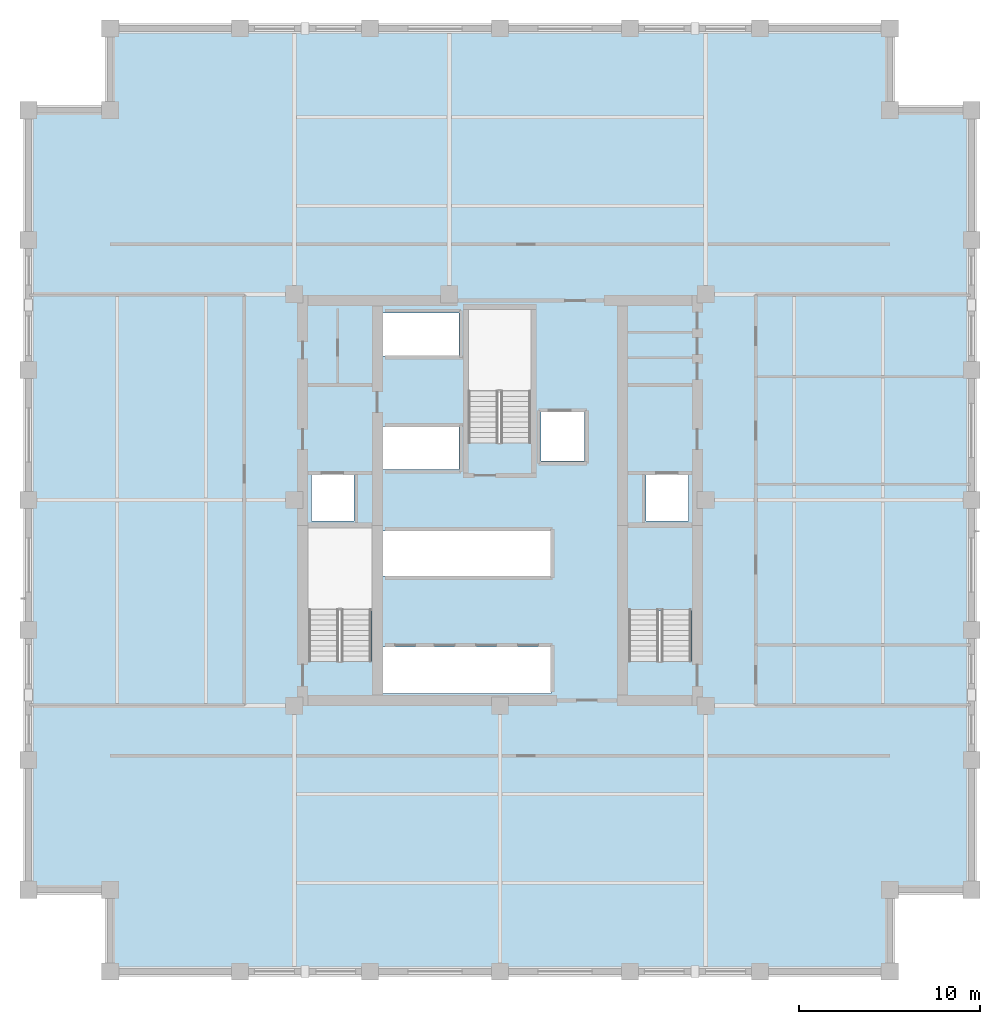
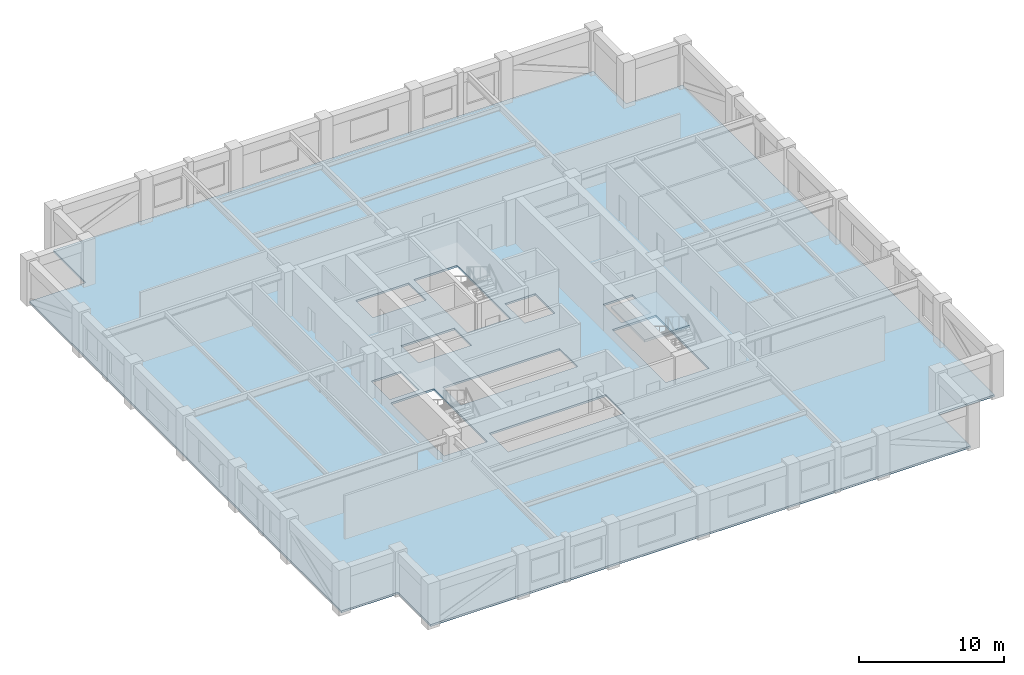
# One storey, part 3 of 9: 2 slabs, 1 element without a shape of its own.
"""IFC4 building model written with IfcOpenShell, lengths in metres."""

from ifc_helpers import new_model, si_unit, direction, frame, origin, place, context, subcontext, project, spatial, polyline, outline, extrude, material, layer, layer_set, type_object, element, aggregate, save


model = new_model("IFC4")

# Units and contexts
model_context = context("Model", 3, precision=1e-05, world=origin(), true_north=direction((0.0, 1.0)))
body_context = subcontext(model_context, "Body", "Model", "MODEL_VIEW")
ifc_project = project(units=[si_unit("LENGTHUNIT", "METRE"), si_unit("AREAUNIT", "SQUARE_METRE"), si_unit("VOLUMEUNIT", "CUBIC_METRE"), si_unit("PLANEANGLEUNIT", "RADIAN"), si_unit("MASSUNIT", "GRAM", prefix="KILO")], contexts=[model_context])

# Site, building, storey
site_placement = place(None, origin())
site = spatial("IfcSite", under=ifc_project, at=site_placement, CompositionType="ELEMENT")
building_placement = place(site_placement, origin())
building = spatial("IfcBuilding", under=site, at=building_placement, Name="Nhamokura Convention Tower", CompositionType="ELEMENT")
storey_placement = place(building_placement, frame((0.0, 0.0, 149.10009765625)))
storey = spatial("IfcBuildingStorey", under=building, at=storey_placement, Name="L36", CompositionType="ELEMENT", Elevation=149.10009765625)

# Slab
ifc_material_1 = material(Name="Concrete C40/50", Category="concrete")
ifc_layer_1 = layer(ifc_material_1, 0.1650390625)
ifc_layer_set_1 = layer_set([ifc_layer_1], Name="OfficeFloorSlab_165")
slab_type_1 = type_object("IfcSlabType", Name="OfficeFloorSlab_165", PredefinedType="FLOOR", material=ifc_layer_set_1)
slab_1_placement = place(storey_placement, frame((0.0, 0.0, -0.1650390625)))
element("IfcSlab", 1, at=slab_1_placement, inside=storey, type_object=slab_type_1, Name="L36 Structural Floor Slab", PredefinedType="FLOOR", context=body_context, shape_type="SweptSolid", body=[
    extrude(outline(polyline([(10.5, 6.0), (53.5, 6.0), (53.5, 10.5), (58.0, 10.5), (58.0, 53.5), (53.5, 53.5), (53.5, 58.0), (10.5, 58.0), (10.5, 53.5), (6.0, 53.5), (6.0, 10.5), (10.5, 10.5), (10.5, 6.0)]), holes=[polyline([(24.89990234375, 23.10009765625), (24.89990234375, 30.449951171875), (21.449951171875, 30.449951171875), (21.449951171875, 23.10009765625), (24.89990234375, 23.10009765625)]), polyline([(42.550048828125, 23.10009765625), (42.550048828125, 30.449951171875), (39.10009765625, 30.449951171875), (39.10009765625, 23.10009765625), (42.550048828125, 23.10009765625)]), polyline([(33.699951171875, 35.14990234375), (33.699951171875, 42.5), (30.25, 42.5), (30.25, 35.14990234375), (33.699951171875, 35.14990234375)]), polyline([(21.60009765625, 30.85009765625), (23.949951171875, 30.85009765625), (23.949951171875, 33.39990234375), (21.60009765625, 33.39990234375), (21.60009765625, 30.85009765625)]), polyline([(40.050048828125, 30.85009765625), (42.39990234375, 30.85009765625), (42.39990234375, 33.39990234375), (40.050048828125, 33.39990234375), (40.050048828125, 30.85009765625)]), polyline([(34.25, 34.14990234375), (36.64990234375, 34.14990234375), (36.64990234375, 36.85009765625), (34.25, 36.85009765625), (34.25, 34.14990234375)]), polyline([(25.52001953125, 21.320068359375), (34.800048828125, 21.320068359375), (34.800048828125, 23.89990234375), (25.52001953125, 23.89990234375), (25.52001953125, 21.320068359375)]), polyline([(25.52001953125, 27.800048828125), (34.800048828125, 27.800048828125), (34.800048828125, 30.300048828125), (25.52001953125, 30.300048828125), (25.52001953125, 27.800048828125)]), polyline([(25.52001953125, 33.679931640625), (29.75, 33.679931640625), (29.75, 36.050048828125), (25.52001953125, 36.050048828125), (25.52001953125, 33.679931640625)]), polyline([(25.52001953125, 39.949951171875), (29.75, 39.949951171875), (29.75, 42.320068359375), (25.52001953125, 42.320068359375), (25.52001953125, 39.949951171875)])]), origin(), (0.0, 0.0, 1.0), 0.1650390625),
])

# Stair, slab
ifc_material_2 = material(Name="Concrete C40/50", Category="concrete")
stair_type = type_object("IfcStairType", Name="TowerCoreStair_1650", PredefinedType="HALF_TURN_STAIR", material=ifc_material_2)
stair_placement = place(storey_placement, origin())
stair = element("IfcStair", 2, at=stair_placement, inside=storey, type_object=stair_type, Name="L36 East Core Smokeproof Stair ST-02", PredefinedType="HALF_TURN_STAIR")
ifc_material_3 = material(Name="Concrete C40/50", Category="concrete")
ifc_layer_2 = layer(ifc_material_3, 0.199951171875)
ifc_layer_set_2 = layer_set([ifc_layer_2], Name="StairLandingSlab_200")
slab_type_2 = type_object("IfcSlabType", Name="StairLandingSlab_200", PredefinedType="LANDING", material=ifc_layer_set_2)
slab_2_placement = place(storey_placement, frame((0.0, 0.0, 1.724853515625)))
slab_2 = element("IfcSlab", 3, at=slab_2_placement, type_object=slab_type_2, Name="ST-02 landing 1", PredefinedType="LANDING", context=body_context, shape_type="SweptSolid", body=[
    extrude(outline(polyline([(42.6298828125, 25.8701171875), (42.6298828125, 30.530029296875), (39.02001953125, 30.530029296875), (39.02001953125, 25.8701171875), (42.6298828125, 25.8701171875)])), origin(), (0.0, 0.0, 1.0), 0.199951171875),
])
aggregate(stair, [slab_2])

save(model, "model.ifc")
